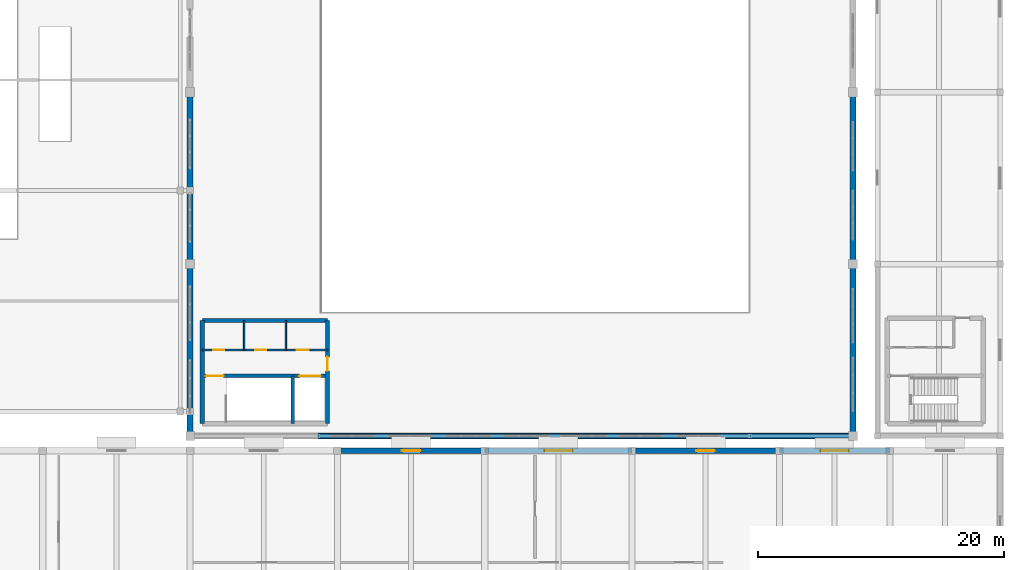
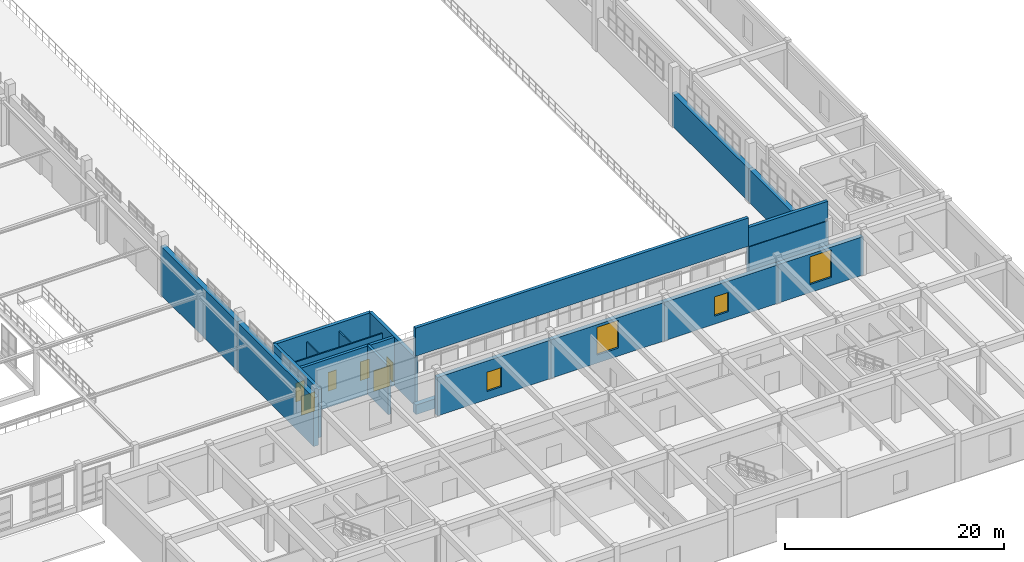
# One storey, part 177 of 197: 20 walls, 6 doors, 4 windows, 10 openings.
"""IFC4 building model written with IfcOpenShell, lengths in metres."""

from ifc_helpers import new_model, si_unit, derived_unit, direction, frame, frame_2d, origin, place, context, subcontext, project, spatial, rectangle, extrude, material, layer, layer_set, type_object, element, fill, save


model = new_model("IFC4")

# Units and contexts
model_context = context("Model", 3, precision=1e-05, world=origin(), true_north=direction((0.0, 1.0)))
body_context = subcontext(model_context, "Body", "Model", "MODEL_VIEW")
ifc_project = project(units=[si_unit("LENGTHUNIT", "METRE"), si_unit("AREAUNIT", "SQUARE_METRE"), si_unit("VOLUMEUNIT", "CUBIC_METRE"), si_unit("PLANEANGLEUNIT", "RADIAN"), si_unit("MASSUNIT", "GRAM", prefix="KILO"), derived_unit("THERMALTRANSMITTANCEUNIT", [(si_unit("POWERUNIT", "WATT"), 1), (si_unit("LENGTHUNIT", "METRE"), -2), (si_unit("THERMODYNAMICTEMPERATUREUNIT", "KELVIN"), -1)])], contexts=[model_context])

# Site, building, storey
site_placement = place(None, origin())
site = spatial("IfcSite", under=ifc_project, at=site_placement, CompositionType="ELEMENT")
building_placement = place(site_placement, origin())
building = spatial("IfcBuilding", under=site, at=building_placement, Name="Almenara Railside Exhibition Hall", CompositionType="ELEMENT")
storey_placement = place(building_placement, frame((0.0, 0.0, 5.39990234375)))
storey = spatial("IfcBuildingStorey", under=building, at=storey_placement, Name="L01", CompositionType="ELEMENT", Elevation=5.39990234375)

# Walls
ifc_material_1 = material(Name="Concrete C35/45", Category="concrete")
ifc_layer_1 = layer(ifc_material_1, 0.35009765625, Name="Concrete C35/45")
ifc_layer_set_1 = layer_set([ifc_layer_1], Name="Concrete C35/45")
wall_type_1 = type_object("IfcWallType", Name="Core Coupled Shear Wall 350mm C35/45", PredefinedType="SHEAR", material=ifc_layer_set_1)
wall_1_placement = place(storey_placement, frame((149.199951171875, 43.39990234375, 0.0), z_axis=(0.0, 0.0, 1.0), x_axis=(-1.0, 0.0, 0.0)))
element("IfcWall", 1, at=wall_1_placement, inside=storey, type_object=wall_type_1, Name="Interior wall 0065", PredefinedType="SHEAR", context=body_context, shape_type="SweptSolid", body=[
    extrude(rectangle(XDim=10.199951171875, YDim=0.35009765625, at=frame_2d((5.10009765625, 0.0))), origin(), (0.0, 0.0, 1.0), 5.400146484375),
])
wall_2_placement = place(storey_placement, frame((139.0, 43.39990234375, 0.0), z_axis=(0.0, 0.0, 1.0), x_axis=(0.0, -1.0, 0.0)))
element("IfcWall", 2, at=wall_2_placement, inside=storey, type_object=wall_type_1, Name="Interior wall 0066", PredefinedType="SHEAR", context=body_context, shape_type="SweptSolid", body=[
    extrude(rectangle(XDim=8.39990234375, YDim=0.35009765625, at=frame_2d((4.199951171875, 0.0))), origin(), (0.0, 0.0, 1.0), 5.400146484375),
])

# Wall, opening, door
wall_3_placement = place(storey_placement, frame((149.199951171875, 35.0, 0.0), z_axis=(0.0, 0.0, 1.0), x_axis=(0.0, 1.0, 0.0)))
wall_3 = element("IfcWall", 3, at=wall_3_placement, inside=storey, type_object=wall_type_1, Name="Interior wall 0067", PredefinedType="SHEAR", context=body_context, shape_type="SweptSolid", body=[
    extrude(rectangle(XDim=8.39990234375, YDim=0.35009765625, at=frame_2d((4.199951171875, 0.0))), origin(), (0.0, 0.0, 1.0), 5.400146484375),
])
opening_1_placement = place(wall_3_placement, frame((4.300048828125, 0.0, 0.0)))
opening_1 = element("IfcOpeningElement", 4, at=opening_1_placement, cuts=wall_3, Name="Opening FD-115", PredefinedType="OPENING", context=body_context, shape_type="SweptSolid", body=[
    extrude(rectangle(XDim=1.14990234375, YDim=2.14990234375, at=frame_2d((0.574951171875, 1.074951171875))), frame((0.0, 0.18505859375, 0.0), z_axis=(0.0, -1.0, 0.0), x_axis=(1.0, 0.0, 0.0)), (0.0, 0.0, 1.0), 0.3701171875),
])
ifc_material_2 = material(Name="Fire-rated iroko timber door", Category="wood")
door_type_1 = type_object("IfcDoorType", Name="Core Lobby Fire Door 1150x2150 EI60", OperationType="NOTDEFINED", PredefinedType="DOOR", material=ifc_material_2)
door_1_placement = place(opening_1_placement, origin())
door_1 = element("IfcDoor", 5, at=door_1_placement, inside=storey, type_object=door_type_1, Name="Interior door FD-115-043", OperationType="SINGLE_SWING_LEFT", OverallHeight=2.14990234375, OverallWidth=1.14990234375, PredefinedType="DOOR", context=body_context, shape_type="SweptSolid", body=[
    extrude(rectangle(XDim=1.14990234375, YDim=2.14990234375, at=frame_2d((0.574951171875, 1.074951171875))), frame((0.0, 0.02490234375, 0.0), z_axis=(0.0, -1.0, 0.0), x_axis=(1.0, 0.0, 0.0)), (0.0, 0.0, 1.0), 0.050048828125),
])
fill(opening_1, door_1)

# Walls
ifc_material_3 = material(Name="Ochre-white lime-rendered masonry over Concrete C35/45", Category="masonry")
ifc_layer_2 = layer(ifc_material_3, 0.3349609375, Name="Ochre-white lime-rendered masonry over Concrete C35/45")
ifc_layer_set_2 = layer_set([ifc_layer_2], Name="Ochre-white lime-rendered masonry over Concrete C35/45")
wall_type_2 = type_object("IfcWallType", Name="Exterior Belvedere Wall 335mm C35/45", PredefinedType="SOLIDWALL", material=ifc_layer_set_2)
wall_4_placement = place(storey_placement, frame((183.60009765625, 34.0, 6.400146484375), z_axis=(0.0, 0.0, 1.0), x_axis=(1.0, 0.0, 0.0)))
element("IfcWall", 6, at=wall_4_placement, inside=storey, type_object=wall_type_2, Name="Exterior wall 0331", PredefinedType="SOLIDWALL", context=body_context, shape_type="SweptSolid", body=[
    extrude(rectangle(XDim=8.39990234375, YDim=0.3349609375, at=frame_2d((4.199951171875, 0.0))), origin(), (0.0, 0.0, 1.0), 2.118408203125),
])
wall_5_placement = place(storey_placement, frame((148.39990234375, 34.0, 6.4501953125), z_axis=(0.0, 0.0, 1.0), x_axis=(1.0, 0.0, 0.0)))
element("IfcWall", 7, at=wall_5_placement, inside=storey, type_object=wall_type_2, Name="Exterior wall 0332", PredefinedType="SOLIDWALL", context=body_context, shape_type="SweptSolid", body=[
    extrude(rectangle(XDim=35.2001953125, YDim=0.3349609375, at=frame_2d((17.60009765625, 0.0))), origin(), (0.0, 0.0, 1.0), 3.14990234375),
])

# Wall, opening, window
ifc_layer_3 = layer(ifc_material_3, 0.449951171875, Name="Ochre-white lime-rendered masonry over Concrete C35/45")
ifc_layer_set_3 = layer_set([ifc_layer_3], Name="Ochre-white lime-rendered masonry over Concrete C35/45")
wall_type_3 = type_object("IfcWallType", Name="Exterior Civic Stucco Wall 450mm C35/45", PredefinedType="SOLIDWALL", material=ifc_layer_set_3)
wall_6_placement = place(storey_placement, frame((162.0, 32.800048828125, 0.0), z_axis=(0.0, 0.0, 1.0), x_axis=(-1.0, 0.0, 0.0)))
wall_6 = element("IfcWall", 8, at=wall_6_placement, inside=storey, type_object=wall_type_3, Name="Exterior wall 0215", PredefinedType="SOLIDWALL", context=body_context, shape_type="SweptSolid", body=[
    extrude(rectangle(XDim=12.0, YDim=0.449951171875, at=frame_2d((6.0, 0.0))), origin(), (0.0, 0.0, 1.0), 4.300048828125),
])
opening_2_placement = place(wall_6_placement, frame((5.25, 0.0, 0.89990234375)))
opening_2 = element("IfcOpeningElement", 9, at=opening_2_placement, cuts=wall_6, Name="Opening W-08", PredefinedType="OPENING", context=body_context, shape_type="SweptSolid", body=[
    extrude(rectangle(XDim=1.5, YDim=2.14990234375, at=frame_2d((0.75, 1.074951171875))), frame((0.0, 0.23486328125, 0.0), z_axis=(0.0, -1.0, 0.0), x_axis=(1.0, 0.0, 0.0)), (0.0, 0.0, 1.0), 0.469970703125),
])
ifc_material_4 = material(Name="Bronze-anodised aluminium and low-E double glazing", Category="aluminium")
window_type_1 = type_object("IfcWindowType", Name="Seminar Deep-Reveal Window 1500x2150", PartitioningType="DOUBLE_PANEL_VERTICAL", PredefinedType="WINDOW", material=ifc_material_4)
window_1_placement = place(opening_2_placement, origin())
window_1 = element("IfcWindow", 10, at=window_1_placement, inside=storey, type_object=window_type_1, Name="Window 0070", OverallHeight=2.14990234375, OverallWidth=1.5, PartitioningType="DOUBLE_PANEL_VERTICAL", PredefinedType="WINDOW", context=body_context, shape_type="SweptSolid", body=[
    extrude(rectangle(XDim=1.5, YDim=2.14990234375, at=frame_2d((0.75, 1.074951171875))), frame((0.0, 0.030029296875, 0.0), z_axis=(0.0, -1.0, 0.0), x_axis=(1.0, 0.0, 0.0)), (0.0, 0.0, 1.0), 0.06005859375),
])
fill(opening_2, window_1)

wall_7_placement = place(storey_placement, frame((174.0, 32.800048828125, 0.0), z_axis=(0.0, 0.0, 1.0), x_axis=(-1.0, 0.0, 0.0)))
wall_7 = element("IfcWall", 11, at=wall_7_placement, inside=storey, type_object=wall_type_3, Name="Exterior wall 0217", PredefinedType="SOLIDWALL", context=body_context, shape_type="SweptSolid", body=[
    extrude(rectangle(XDim=12.0, YDim=0.449951171875, at=frame_2d((6.0, 0.0))), origin(), (0.0, 0.0, 1.0), 4.300048828125),
])
opening_3_placement = place(wall_7_placement, frame((4.85009765625, 0.0, 0.89990234375)))
opening_3 = element("IfcOpeningElement", 12, at=opening_3_placement, cuts=wall_7, Name="Opening W-02", PredefinedType="OPENING", context=body_context, shape_type="SweptSolid", body=[
    extrude(rectangle(XDim=2.300048828125, YDim=3.10009765625, at=frame_2d((1.14990234375, 1.550048828125))), frame((0.0, 0.23486328125, 0.0), z_axis=(0.0, -1.0, 0.0), x_axis=(1.0, 0.0, 0.0)), (0.0, 0.0, 1.0), 0.469970703125),
])
window_type_2 = type_object("IfcWindowType", Name="Arched Congress Tall Window 2300x3100", PartitioningType="DOUBLE_PANEL_VERTICAL", PredefinedType="WINDOW", material=ifc_material_4)
window_2_placement = place(opening_3_placement, origin())
window_2 = element("IfcWindow", 13, at=window_2_placement, inside=storey, type_object=window_type_2, Name="Window 0072", OverallHeight=3.10009765625, OverallWidth=2.300048828125, PartitioningType="DOUBLE_PANEL_VERTICAL", PredefinedType="WINDOW", context=body_context, shape_type="SweptSolid", body=[
    extrude(rectangle(XDim=2.300048828125, YDim=3.10009765625, at=frame_2d((1.14990234375, 1.550048828125))), frame((0.0, 0.030029296875, 0.0), z_axis=(0.0, -1.0, 0.0), x_axis=(1.0, 0.0, 0.0)), (0.0, 0.0, 1.0), 0.06005859375),
])
fill(opening_3, window_2)

wall_8_placement = place(storey_placement, frame((186.0, 32.800048828125, 0.0), z_axis=(0.0, 0.0, 1.0), x_axis=(-1.0, 0.0, 0.0)))
wall_8 = element("IfcWall", 14, at=wall_8_placement, inside=storey, type_object=wall_type_3, Name="Exterior wall 0219", PredefinedType="SOLIDWALL", context=body_context, shape_type="SweptSolid", body=[
    extrude(rectangle(XDim=12.0, YDim=0.449951171875, at=frame_2d((6.0, 0.0))), origin(), (0.0, 0.0, 1.0), 4.300048828125),
])
opening_4_placement = place(wall_8_placement, frame((5.25, 0.0, 0.89990234375)))
opening_4 = element("IfcOpeningElement", 15, at=opening_4_placement, cuts=wall_8, Name="Opening W-08", PredefinedType="OPENING", context=body_context, shape_type="SweptSolid", body=[
    extrude(rectangle(XDim=1.5, YDim=2.14990234375, at=frame_2d((0.75, 1.074951171875))), frame((0.0, 0.23486328125, 0.0), z_axis=(0.0, -1.0, 0.0), x_axis=(1.0, 0.0, 0.0)), (0.0, 0.0, 1.0), 0.469970703125),
])
window_3_placement = place(opening_4_placement, origin())
window_3 = element("IfcWindow", 16, at=window_3_placement, inside=storey, type_object=window_type_1, Name="Window 0074", OverallHeight=2.14990234375, OverallWidth=1.5, PartitioningType="DOUBLE_PANEL_VERTICAL", PredefinedType="WINDOW", context=body_context, shape_type="SweptSolid", body=[
    extrude(rectangle(XDim=1.5, YDim=2.14990234375, at=frame_2d((0.75, 1.074951171875))), frame((0.0, 0.030029296875, 0.0), z_axis=(0.0, -1.0, 0.0), x_axis=(1.0, 0.0, 0.0)), (0.0, 0.0, 1.0), 0.06005859375),
])
fill(opening_4, window_3)

wall_9_placement = place(storey_placement, frame((195.0, 32.800048828125, 0.0), z_axis=(0.0, 0.0, 1.0), x_axis=(-1.0, 0.0, 0.0)))
wall_9 = element("IfcWall", 17, at=wall_9_placement, inside=storey, type_object=wall_type_3, Name="Exterior wall 0221", PredefinedType="SOLIDWALL", context=body_context, shape_type="SweptSolid", body=[
    extrude(rectangle(XDim=9.0, YDim=0.449951171875, at=frame_2d((4.5, 0.0))), origin(), (0.0, 0.0, 1.0), 4.300048828125),
])
opening_5_placement = place(wall_9_placement, frame((3.35009765625, 0.0, 0.89990234375)))
opening_5 = element("IfcOpeningElement", 18, at=opening_5_placement, cuts=wall_9, Name="Opening W-02", PredefinedType="OPENING", context=body_context, shape_type="SweptSolid", body=[
    extrude(rectangle(XDim=2.300048828125, YDim=3.10009765625, at=frame_2d((1.14990234375, 1.550048828125))), frame((0.0, 0.23486328125, 0.0), z_axis=(0.0, -1.0, 0.0), x_axis=(1.0, 0.0, 0.0)), (0.0, 0.0, 1.0), 0.469970703125),
])
window_4_placement = place(opening_5_placement, origin())
window_4 = element("IfcWindow", 19, at=window_4_placement, inside=storey, type_object=window_type_2, Name="Window 0076", OverallHeight=3.10009765625, OverallWidth=2.300048828125, PartitioningType="DOUBLE_PANEL_VERTICAL", PredefinedType="WINDOW", context=body_context, shape_type="SweptSolid", body=[
    extrude(rectangle(XDim=2.300048828125, YDim=3.10009765625, at=frame_2d((1.14990234375, 1.550048828125))), frame((0.0, 0.030029296875, 0.0), z_axis=(0.0, -1.0, 0.0), x_axis=(1.0, 0.0, 0.0)), (0.0, 0.0, 1.0), 0.06005859375),
])
fill(opening_5, window_4)

# Walls
ifc_layer_4 = layer(ifc_material_3, 0.510009765625, Name="Ochre-white lime-rendered masonry over Concrete C35/45")
ifc_layer_set_4 = layer_set([ifc_layer_4], Name="Ochre-white lime-rendered masonry over Concrete C35/45")
wall_type_4 = type_object("IfcWallType", Name="Exterior East Hall Thermal Wall 510mm C35/45", PredefinedType="SOLIDWALL", material=ifc_layer_set_4)
wall_10_placement = place(storey_placement, frame((138.0, 48.0, 0.0), z_axis=(0.0, 0.0, 1.0), x_axis=(0.0, -1.0, 0.0)))
element("IfcWall", 20, at=wall_10_placement, inside=storey, type_object=wall_type_4, Name="Exterior wall 0073", PredefinedType="SOLIDWALL", context=body_context, shape_type="SweptSolid", body=[
    extrude(rectangle(XDim=14.0, YDim=0.510009765625, at=frame_2d((7.0, 0.0))), origin(), (0.0, 0.0, 1.0), 5.4501953125),
])
wall_11_placement = place(storey_placement, frame((192.0, 34.0, 0.0), z_axis=(0.0, 0.0, 1.0), x_axis=(0.0, 1.0, 0.0)))
element("IfcWall", 21, at=wall_11_placement, inside=storey, type_object=wall_type_4, Name="Exterior wall 0075", PredefinedType="SOLIDWALL", context=body_context, shape_type="SweptSolid", body=[
    extrude(rectangle(XDim=14.0, YDim=0.510009765625, at=frame_2d((7.0, 0.0))), origin(), (0.0, 0.0, 1.0), 3.650146484375),
])
wall_12_placement = place(storey_placement, frame((138.0, 62.0, 0.0), z_axis=(0.0, 0.0, 1.0), x_axis=(0.0, -1.0, 0.0)))
element("IfcWall", 22, at=wall_12_placement, inside=storey, type_object=wall_type_4, Name="Exterior wall 0076", PredefinedType="SOLIDWALL", context=body_context, shape_type="SweptSolid", body=[
    extrude(rectangle(XDim=14.0, YDim=0.510009765625, at=frame_2d((7.0, 0.0))), origin(), (0.0, 0.0, 1.0), 5.4501953125),
])
wall_13_placement = place(storey_placement, frame((192.0, 48.0, 0.0), z_axis=(0.0, 0.0, 1.0), x_axis=(0.0, 1.0, 0.0)))
element("IfcWall", 23, at=wall_13_placement, inside=storey, type_object=wall_type_4, Name="Exterior wall 0078", PredefinedType="SOLIDWALL", context=body_context, shape_type="SweptSolid", body=[
    extrude(rectangle(XDim=14.0, YDim=0.510009765625, at=frame_2d((7.0, 0.0))), origin(), (0.0, 0.0, 1.0), 3.650146484375),
])
wall_14_placement = place(storey_placement, frame((148.39990234375, 34.0, 0.0), z_axis=(0.0, 0.0, 1.0), x_axis=(1.0, 0.0, 0.0)))
element("IfcWall", 24, at=wall_14_placement, inside=storey, type_object=wall_type_4, Name="Exterior wall 0099", PredefinedType="SOLIDWALL", context=body_context, shape_type="SweptSolid", body=[
    extrude(rectangle(XDim=35.2001953125, YDim=0.510009765625, at=frame_2d((17.60009765625, 0.0))), origin(), (0.0, 0.0, 1.0), 1.050048828125),
])
wall_15_placement = place(storey_placement, frame((183.60009765625, 34.0, 0.0), z_axis=(0.0, 0.0, 1.0), x_axis=(1.0, 0.0, 0.0)))
element("IfcWall", 25, at=wall_15_placement, inside=storey, type_object=wall_type_4, Name="Exterior wall 0101", PredefinedType="SOLIDWALL", context=body_context, shape_type="SweptSolid", body=[
    extrude(rectangle(XDim=8.39990234375, YDim=0.510009765625, at=frame_2d((4.199951171875, 0.0))), origin(), (0.0, 0.0, 1.0), 6.400146484375),
])

# Wall, openings, doors
ifc_material_5 = material(Name="Moisture-resistant tiled masonry partition", Category="masonry")
ifc_layer_5 = layer(ifc_material_5, 0.139892578125, Name="Moisture-resistant tiled masonry partition")
ifc_layer_set_5 = layer_set([ifc_layer_5], Name="Moisture-resistant tiled masonry partition")
wall_type_5 = type_object("IfcWallType", Name="Sanitary Wet-Wall Partition 140mm", PredefinedType="PARTITIONING", material=ifc_layer_set_5)
wall_16_placement = place(storey_placement, frame((139.0, 41.0, 0.0), z_axis=(0.0, 0.0, 1.0), x_axis=(1.0, 0.0, 0.0)))
wall_16 = element("IfcWall", 26, at=wall_16_placement, inside=storey, type_object=wall_type_5, Name="Interior wall 0070", PredefinedType="PARTITIONING", context=body_context, shape_type="SweptSolid", body=[
    extrude(rectangle(XDim=10.199951171875, YDim=0.139892578125, at=frame_2d((5.10009765625, 0.0))), origin(), (0.0, 0.0, 1.0), 4.5),
])
opening_6_placement = place(wall_16_placement, frame((0.89990234375, 0.0, 0.0)))
opening_6 = element("IfcOpeningElement", 27, at=opening_6_placement, cuts=wall_16, Name="Opening ID-09", PredefinedType="OPENING", context=body_context, shape_type="SweptSolid", body=[
    extrude(rectangle(XDim=0.89990234375, YDim=2.10009765625, at=frame_2d((0.449951171875, 1.050048828125))), frame((0.0, 0.079833984375, 0.0), z_axis=(0.0, -1.0, 0.0), x_axis=(1.0, 0.0, 0.0)), (0.0, 0.0, 1.0), 0.159912109375),
])
opening_7_placement = place(wall_16_placement, frame((4.300048828125, 0.0, 0.0)))
opening_7 = element("IfcOpeningElement", 28, at=opening_7_placement, cuts=wall_16, Name="Opening ID-09", PredefinedType="OPENING", context=body_context, shape_type="SweptSolid", body=[
    extrude(rectangle(XDim=0.89990234375, YDim=2.10009765625, at=frame_2d((0.449951171875, 1.050048828125))), frame((0.0, 0.079833984375, 0.0), z_axis=(0.0, -1.0, 0.0), x_axis=(1.0, 0.0, 0.0)), (0.0, 0.0, 1.0), 0.159912109375),
])
opening_8_placement = place(wall_16_placement, frame((7.699951171875, 0.0, 0.0)))
opening_8 = element("IfcOpeningElement", 29, at=opening_8_placement, cuts=wall_16, Name="Opening ID-095", PredefinedType="OPENING", context=body_context, shape_type="SweptSolid", body=[
    extrude(rectangle(XDim=0.949951171875, YDim=2.10009765625, at=frame_2d((0.47509765625, 1.050048828125))), frame((0.0, 0.079833984375, 0.0), z_axis=(0.0, -1.0, 0.0), x_axis=(1.0, 0.0, 0.0)), (0.0, 0.0, 1.0), 0.159912109375),
])
ifc_material_6 = material(Name="Moisture-resistant hardwood door", Category="wood")
door_type_2 = type_object("IfcDoorType", Name="Accessible Toilet Door 950x2100", OperationType="NOTDEFINED", PredefinedType="DOOR", material=ifc_material_6)
door_2_placement = place(opening_8_placement, origin())
door_2 = element("IfcDoor", 30, at=door_2_placement, inside=storey, type_object=door_type_2, Name="Interior door ID-095-048", OperationType="SINGLE_SWING_RIGHT", OverallHeight=2.10009765625, OverallWidth=0.949951171875, PredefinedType="DOOR", context=body_context, shape_type="SweptSolid", body=[
    extrude(rectangle(XDim=0.949951171875, YDim=2.10009765625, at=frame_2d((0.47509765625, 1.050048828125))), frame((0.0, 0.02490234375, 0.0), z_axis=(0.0, -1.0, 0.0), x_axis=(1.0, 0.0, 0.0)), (0.0, 0.0, 1.0), 0.050048828125),
])
fill(opening_8, door_2)
door_type_3 = type_object("IfcDoorType", Name="Sanitary Lobby Single Door 900x2100", OperationType="NOTDEFINED", PredefinedType="DOOR", material=ifc_material_6)
door_3_placement = place(opening_6_placement, origin())
door_3 = element("IfcDoor", 31, at=door_3_placement, inside=storey, type_object=door_type_3, Name="Interior door ID-09-046", OperationType="SINGLE_SWING_RIGHT", OverallHeight=2.10009765625, OverallWidth=0.89990234375, PredefinedType="DOOR", context=body_context, shape_type="SweptSolid", body=[
    extrude(rectangle(XDim=0.89990234375, YDim=2.10009765625, at=frame_2d((0.449951171875, 1.050048828125))), frame((0.0, 0.02490234375, 0.0), z_axis=(0.0, -1.0, 0.0), x_axis=(1.0, 0.0, 0.0)), (0.0, 0.0, 1.0), 0.050048828125),
])
fill(opening_6, door_3)
door_4_placement = place(opening_7_placement, origin())
door_4 = element("IfcDoor", 32, at=door_4_placement, inside=storey, type_object=door_type_3, Name="Interior door ID-09-047", OperationType="SINGLE_SWING_LEFT", OverallHeight=2.10009765625, OverallWidth=0.89990234375, PredefinedType="DOOR", context=body_context, shape_type="SweptSolid", body=[
    extrude(rectangle(XDim=0.89990234375, YDim=2.10009765625, at=frame_2d((0.449951171875, 1.050048828125))), frame((0.0, 0.02490234375, 0.0), z_axis=(0.0, -1.0, 0.0), x_axis=(1.0, 0.0, 0.0)), (0.0, 0.0, 1.0), 0.050048828125),
])
fill(opening_7, door_4)

# Walls
for number, where, z_axis, x_axis, name in (
    (33, (142.39990234375, 41.0, 0.0), (0.0, 0.0, 1.0), (0.0, 1.0, 0.0), "Interior wall 0071"),
    (34, (145.800048828125, 41.0, 0.0), (0.0, 0.0, 1.0), (0.0, 1.0, 0.0), "Interior wall 0072"),
):
    element("IfcWall", number, at=place(storey_placement, frame(where, z_axis=z_axis, x_axis=x_axis)), inside=storey, type_object=wall_type_5, Name=name, PredefinedType="PARTITIONING", context=body_context, shape_type="SweptSolid", body=[
        extrude(rectangle(XDim=2.39990234375, YDim=0.139892578125, at=frame_2d((1.199951171875, 0.0))), origin(), (0.0, 0.0, 1.0), 4.5),
    ])

# Wall, openings, doors
ifc_layer_6 = layer(ifc_material_1, 0.300048828125, Name="Concrete C35/45")
ifc_layer_set_6 = layer_set([ifc_layer_6], Name="Concrete C35/45")
wall_type_6 = type_object("IfcWallType", Name="Stair and Lift Shaft Wall 300mm C35/45", PredefinedType="SHEAR", material=ifc_layer_set_6)
wall_17_placement = place(storey_placement, frame((139.0, 38.89990234375, 0.0), z_axis=(0.0, 0.0, 1.0), x_axis=(1.0, 0.0, 0.0)))
wall_17 = element("IfcWall", 35, at=wall_17_placement, inside=storey, type_object=wall_type_6, Name="Interior wall 0068", PredefinedType="SHEAR", context=body_context, shape_type="SweptSolid", body=[
    extrude(rectangle(XDim=10.199951171875, YDim=0.300048828125, at=frame_2d((5.10009765625, 0.0))), origin(), (0.0, 0.0, 1.0), 5.400146484375),
])
opening_9_placement = place(wall_17_placement, frame((0.280029296875, 0.0, 0.0)))
opening_9 = element("IfcOpeningElement", 36, at=opening_9_placement, cuts=wall_17, Name="Opening FD-145", PredefinedType="OPENING", context=body_context, shape_type="SweptSolid", body=[
    extrude(rectangle(XDim=1.449951171875, YDim=2.14990234375, at=frame_2d((0.72509765625, 1.074951171875))), frame((0.0, 0.159912109375, 0.0), z_axis=(0.0, -1.0, 0.0), x_axis=(1.0, 0.0, 0.0)), (0.0, 0.0, 1.0), 0.320068359375),
])
opening_10_placement = place(wall_17_placement, frame((7.89990234375, 0.0, 0.0)))
opening_10 = element("IfcOpeningElement", 37, at=opening_10_placement, cuts=wall_17, Name="Opening LD-175-C3", PredefinedType="OPENING", context=body_context, shape_type="SweptSolid", body=[
    extrude(rectangle(XDim=1.75, YDim=2.300048828125, at=frame_2d((0.875, 1.14990234375))), frame((0.0, 0.159912109375, 0.0), z_axis=(0.0, -1.0, 0.0), x_axis=(1.0, 0.0, 0.0)), (0.0, 0.0, 1.0), 0.320068359375),
])
ifc_material_7 = material(Name="Steel-framed fire-rated timber door", Category="steel")
door_type_4 = type_object("IfcDoorType", Name="Fire Escape Stair Door 1450x2150 EI60", OperationType="NOTDEFINED", PredefinedType="DOOR", material=ifc_material_7)
door_5_placement = place(opening_9_placement, origin())
door_5 = element("IfcDoor", 38, at=door_5_placement, inside=storey, type_object=door_type_4, Name="Interior door FD-145-044", OperationType="DOUBLE_DOOR_SINGLE_SWING", OverallHeight=2.14990234375, OverallWidth=1.449951171875, PredefinedType="DOOR", context=body_context, shape_type="SweptSolid", body=[
    extrude(rectangle(XDim=1.449951171875, YDim=2.14990234375, at=frame_2d((0.72509765625, 1.074951171875))), frame((0.0, 0.02490234375, 0.0), z_axis=(0.0, -1.0, 0.0), x_axis=(1.0, 0.0, 0.0)), (0.0, 0.0, 1.0), 0.050048828125),
])
fill(opening_9, door_5)
ifc_material_8 = material(Name="Heavy-duty stainless steel sliding landing door", Category="steel")
door_type_5 = type_object("IfcDoorType", Name="Goods Lift Sliding Landing Door 1750x2300", OperationType="DOUBLE_DOOR_SLIDING", PredefinedType="DOOR", material=ifc_material_8)
door_6_placement = place(opening_10_placement, origin())
door_6 = element("IfcDoor", 39, at=door_6_placement, inside=storey, type_object=door_type_5, Name="Interior door LD-175-C3-045", OperationType="DOUBLE_DOOR_SLIDING", OverallHeight=2.300048828125, OverallWidth=1.75, PredefinedType="DOOR", context=body_context, shape_type="SweptSolid", body=[
    extrude(rectangle(XDim=1.75, YDim=2.300048828125, at=frame_2d((0.875, 1.14990234375))), frame((0.0, 0.02490234375, 0.0), z_axis=(0.0, -1.0, 0.0), x_axis=(1.0, 0.0, 0.0)), (0.0, 0.0, 1.0), 0.050048828125),
])
fill(opening_10, door_6)

# Wall
wall_18_placement = place(storey_placement, frame((146.35009765625, 35.0, 0.0), z_axis=(0.0, 0.0, 1.0), x_axis=(0.0, 1.0, 0.0)))
element("IfcWall", 40, at=wall_18_placement, inside=storey, type_object=wall_type_6, Name="Interior wall 0069", PredefinedType="SHEAR", context=body_context, shape_type="SweptSolid", body=[
    extrude(rectangle(XDim=3.89990234375, YDim=0.300048828125, at=frame_2d((1.949951171875, 0.0))), origin(), (0.0, 0.0, 1.0), 5.400146484375),
])

save(model, "model.ifc")
